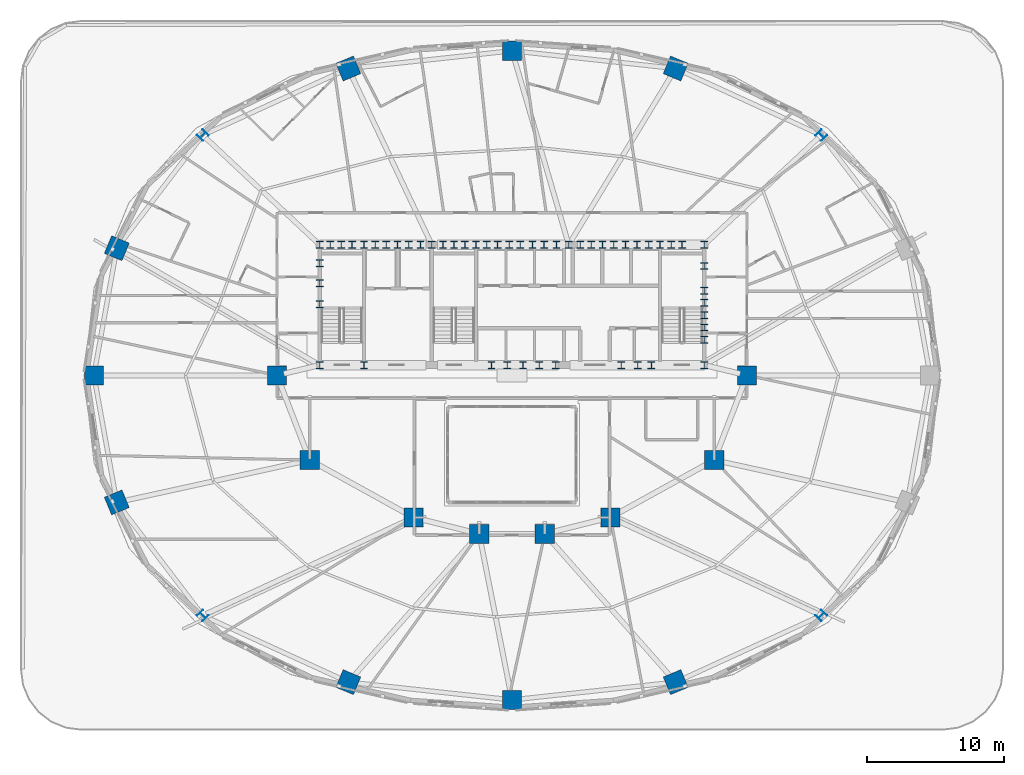
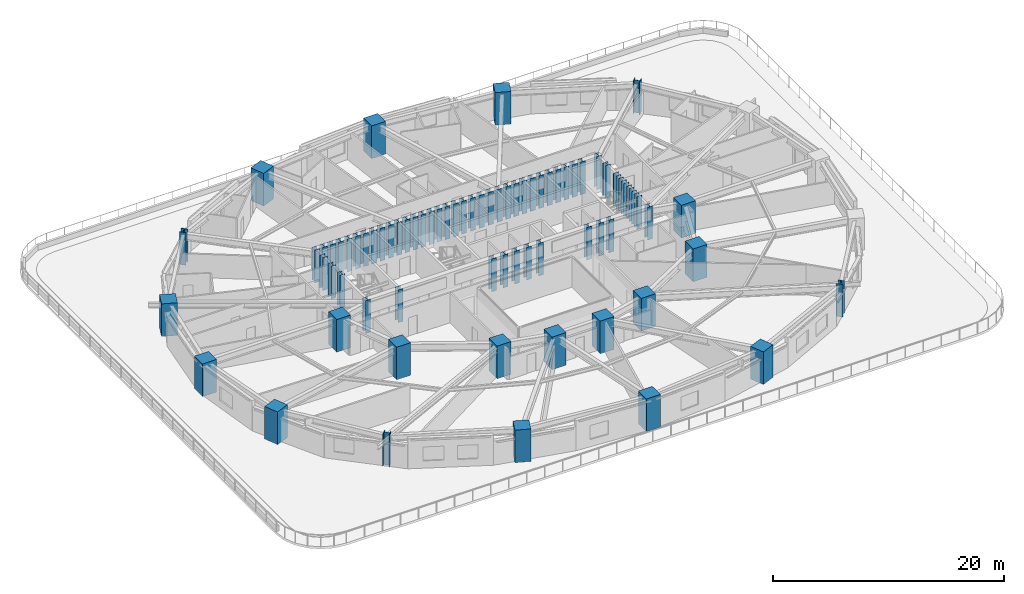
# One storey, part 1 of 18: 75 columns.
"""IFC4 building model written with IfcOpenShell, lengths in metres."""

import ifcopenshell
import ifcopenshell.guid

model = None  # the IFC model being written
_history = None  # IfcOwnerHistory: only IFC2X3 demands one
_inside = {}  # id of a spatial element -> (the spatial element, [elements in it])
_under = {}  # id of a project, library or spatial element -> (it, [spatial elements below it])
_declared = {}  # id of a project -> (the project, [libraries it declares])
_typed = {}  # id of a type object -> (the type object, [elements of that type])
_made_of = {}  # id of a material, layer set ... -> (it, [elements and type objects made of it])


def new_model(schema):
    """Start an empty IFC model of exactly this schema.

    Asked for "IFC4X3", IfcOpenShell would pick the latest addendum, in which some entities
    have other attributes; the version numbers below select the first issue.
    IFC2X3 requires an IfcOwnerHistory on every rooted entity: one is made here for all.
    """
    global model, _history
    if schema == "IFC4X3":
        model = ifcopenshell.file(schema_version=(4, 3, 0, 0))
    else:
        model = ifcopenshell.file(schema=schema)
    _inside.clear()
    _under.clear()
    _declared.clear()
    _typed.clear()
    _made_of.clear()
    _history = None
    if model.schema == "IFC2X3":
        org = make("IfcOrganization", Name="unknown")
        user = make(
            "IfcPersonAndOrganization",
            ThePerson=make("IfcPerson", FamilyName="unknown"),
            TheOrganization=org,
        )
        app = make(
            "IfcApplication",
            ApplicationDeveloper=org,
            Version="unknown",
            ApplicationFullName="unknown",
            ApplicationIdentifier="unknown",
        )
        _history = make(
            "IfcOwnerHistory",
            OwningUser=user,
            OwningApplication=app,
            ChangeAction="ADDED",
            CreationDate=0,
        )
    return model


def make(cls, **values):
    """One entity of the class cls with the attributes given. An attribute that is None is left unset."""
    return model.create_entity(
        cls, **{name: value for name, value in values.items() if value is not None}
    )


def rooted(cls, **values):
    """An entity with a GlobalId (a new one), such as an element, a storey or a relation."""
    return make(cls, GlobalId=ifcopenshell.guid.new(), OwnerHistory=_history, **values)


def si_unit(unit_type, name, prefix=None):
    """IfcSIUnit, for example si_unit("LENGTHUNIT", "METRE", prefix="MILLI")."""
    return make("IfcSIUnit", UnitType=unit_type, Prefix=prefix, Name=name)


def assignment(units):
    """IfcUnitAssignment: the units of a project."""
    return None if units is None else make("IfcUnitAssignment", Units=units)


def point(xyz):
    """IfcCartesianPoint."""
    return None if xyz is None else make("IfcCartesianPoint", Coordinates=xyz)


def direction(xyz):
    """IfcDirection."""
    return None if xyz is None else make("IfcDirection", DirectionRatios=xyz)


def frame(location, z_axis=None, x_axis=None):
    """IfcAxis2Placement3D, a coordinate frame: its origin and axes. An axis left out is left unset."""
    return make(
        "IfcAxis2Placement3D",
        Location=point(location),
        Axis=direction(z_axis),
        RefDirection=direction(x_axis),
    )


def frame_2d(location, x_axis=None):
    """IfcAxis2Placement2D, a coordinate frame in the plane: its origin and x axis."""
    return make(
        "IfcAxis2Placement2D", Location=point(location), RefDirection=direction(x_axis)
    )


def origin():
    """The frame at (0, 0, 0) with its axes left unset."""
    return frame((0.0, 0.0, 0.0))


def origin_2d():
    """The frame at (0, 0) in the plane with its x axis left unset."""
    return frame_2d((0.0, 0.0))


def place(relative_to, where):
    """IfcLocalPlacement: puts the frame where relative to a parent placement (None: the world)."""
    return make(
        "IfcLocalPlacement", PlacementRelTo=relative_to, RelativePlacement=where
    )


def context(
    kind, dimensions, precision=None, world=None, true_north=None, identifier=None
):
    """IfcGeometricRepresentationContext, for example the 3D "Model" context."""
    return make(
        "IfcGeometricRepresentationContext",
        ContextIdentifier=identifier,
        ContextType=kind,
        CoordinateSpaceDimension=dimensions,
        Precision=precision,
        WorldCoordinateSystem=world,
        TrueNorth=true_north,
    )


def subcontext(parent, identifier, kind, view, scale=None):
    """IfcGeometricRepresentationSubContext, for example "Body" below "Model"."""
    return make(
        "IfcGeometricRepresentationSubContext",
        ContextIdentifier=identifier,
        ContextType=kind,
        ParentContext=parent,
        TargetScale=scale,
        TargetView=view,
    )


def project(units=None, contexts=None):
    """IfcProject with its units and contexts."""
    return rooted(
        "IfcProject",
        Name="project",
        RepresentationContexts=contexts,
        UnitsInContext=assignment(units),
    )


def spatial(cls, under=None, at=None, **own):
    """A site, building, storey or space (cls), placed at a placement, below another one or the project."""
    s = rooted(cls, ObjectPlacement=at, **own)
    if under is not None:
        _under.setdefault(under.id(), (under, []))[1].append(s)
    return s


def profile(cls, at=None, kind="AREA", **sizes):
    """A parametric profile (cls). Its sizes go by their IFC names, for example OverallWidth=200.0."""
    return make(cls, ProfileType=kind, Position=at, **sizes)


def rectangle(**sizes):
    """IfcRectangleProfileDef."""
    return profile("IfcRectangleProfileDef", **sizes)


def i_section(**sizes):
    """IfcIShapeProfileDef."""
    return profile("IfcIShapeProfileDef", **sizes)


def extrude(swept, where, along, depth):
    """IfcExtrudedAreaSolid: the profile swept, set in the frame where, extruded along a direction by depth."""
    return make(
        "IfcExtrudedAreaSolid",
        SweptArea=swept,
        Position=where,
        ExtrudedDirection=direction(along),
        Depth=depth,
    )


def shape(context_of_items, identifier, shape_type, items):
    """IfcShapeRepresentation: the items that make up one representation, for example the "Body"."""
    return make(
        "IfcShapeRepresentation",
        ContextOfItems=context_of_items,
        RepresentationIdentifier=identifier,
        RepresentationType=shape_type,
        Items=items,
    )


def material(Name=None, Category=None):
    """IfcMaterial."""
    return make("IfcMaterial", Name=Name, Category=Category)


def material_profile(
    of_material, cross_section, Name=None, Category=None, Priority=None
):
    """IfcMaterialProfile: a cross section and its material."""
    return make(
        "IfcMaterialProfile",
        Name=Name,
        Material=of_material,
        Profile=cross_section,
        Priority=Priority,
        Category=Category,
    )


def profile_set(profiles, Name=None, composite=None):
    """IfcMaterialProfileSet."""
    return make(
        "IfcMaterialProfileSet",
        Name=Name,
        MaterialProfiles=profiles,
        CompositeProfile=composite,
    )


def made_of(thing, what):
    """Note that an element or type object is made of a material, layer set ...; save() writes the relation."""
    if what is not None:
        _made_of.setdefault(what.id(), (what, []))[1].append(thing)
    return thing


def type_object(cls, material=None, **own):
    """A type object (cls), such as IfcWallType, which elements share."""
    return made_of(rooted(cls, **own), material)


def element(
    cls,
    number,
    at=None,
    inside=None,
    cuts=None,
    type_object=None,
    material=None,
    context=None,
    identifier="Body",
    shape_type=None,
    held_by="IfcProductDefinitionShape",
    body=None,
    shapes=None,
    **own,
):
    """One element of the class cls, such as IfcWall. Its Tag is "e" and its number.

    at: its placement. inside: the storey or other place that contains it. cuts: it is an
    opening in that element (IfcRelVoidsElement). A single representation is given by context,
    identifier, shape_type and body (its items); several are given by shapes. held_by: the class
    of the entity that holds the representations. save() writes the other relations.
    """
    e = rooted(cls, Tag="e%d" % number, ObjectPlacement=at, **own)
    if body is not None:
        shapes = [shape(context, identifier, shape_type, body)]
    if shapes is not None:
        e.Representation = make(held_by, Representations=shapes)
    if inside is not None:
        _inside.setdefault(inside.id(), (inside, []))[1].append(e)
    if cuts is not None:
        rooted(
            "IfcRelVoidsElement", RelatingBuildingElement=cuts, RelatedOpeningElement=e
        )
    if type_object is not None:
        _typed.setdefault(type_object.id(), (type_object, []))[1].append(e)
    return made_of(e, material)


def aggregate(whole, parts):
    """IfcRelAggregates: a whole, such as a stair, and the parts it consists of."""
    return rooted("IfcRelAggregates", RelatingObject=whole, RelatedObjects=parts)


def save(model, path):
    """Write the relations noted so far, then the file.

    IfcRelAggregates (storeys below a building ...), IfcRelContainedInSpatialStructure (elements
    in a storey), IfcRelDefinesByType, IfcRelAssociatesMaterial and IfcRelDeclares: one each for
    every whole, place, type object, material and project.
    """
    for whole, parts in _under.values():
        aggregate(whole, parts)
    for where, things in _inside.values():
        rooted(
            "IfcRelContainedInSpatialStructure",
            RelatedElements=things,
            RelatingStructure=where,
        )
    for kind, things in _typed.values():
        rooted("IfcRelDefinesByType", RelatedObjects=things, RelatingType=kind)
    for what, things in _made_of.values():
        rooted("IfcRelAssociatesMaterial", RelatedObjects=things, RelatingMaterial=what)
    for by, libraries in _declared.values():
        rooted("IfcRelDeclares", RelatingContext=by, RelatedDefinitions=libraries)
    model.write(path)


model = new_model("IFC4")

# Units and contexts
model_context = context("Model", 3, precision=1e-05, world=origin(), true_north=direction((0.0, 1.0)))
body_context = subcontext(model_context, "Body", "Model", "MODEL_VIEW")
ifc_project = project(units=[si_unit("LENGTHUNIT", "METRE"), si_unit("AREAUNIT", "SQUARE_METRE"), si_unit("VOLUMEUNIT", "CUBIC_METRE"), si_unit("PLANEANGLEUNIT", "RADIAN"), si_unit("MASSUNIT", "GRAM", prefix="KILO")], contexts=[model_context])

# Site, building, storey
site_placement = place(None, origin())
site = spatial("IfcSite", under=ifc_project, at=site_placement, CompositionType="ELEMENT")
building_placement = place(site_placement, origin())
building = spatial("IfcBuilding", under=site, at=building_placement, Name="Haldorwick Loom Tower", CompositionType="ELEMENT")
storey_placement = place(building_placement, frame((0.0, 0.0, 24.0)))
storey = spatial("IfcBuildingStorey", under=building, at=storey_placement, Name="L05", CompositionType="ELEMENT", Elevation=24.0)

# Columns
ifc_material_1 = material(Name="Concrete C60 (60 MPa)", Category="concrete")
ifc_material_profile_1 = material_profile(ifc_material_1, rectangle(XDim=1.39990234375, YDim=1.39990234375, at=origin_2d()), Name="RC1400X1400", Category="concrete")
ifc_profile_set_1 = profile_set([ifc_material_profile_1], Name="Concrete C60 (60 MPa)")
column_type_1 = type_object("IfcColumnType", Name="STR-COL-MEGA1400", PredefinedType="COLUMN", material=ifc_profile_set_1)
for number, where, z_axis, x_axis, name in (
    (1, (53.199951171875, 26.0, 0.0), (0.0, 0.0, 1.0), (1.0, 0.0, 0.0), "L05 Inner Column IC-01"),
    (2, (50.800048828125, 19.800048828125, 0.0), (0.0, 0.0, 1.0), (1.0, 0.0, 0.0), "L05 Inner Column IC-02"),
    (3, (43.199951171875, 15.60009765625, 0.0), (0.0, 0.0, 1.0), (1.0, 0.0, 0.0), "L05 Inner Column IC-03"),
    (4, (38.39990234375, 14.39990234375, 0.0), (0.0, 0.0, 1.0), (1.0, 0.0, 0.0), "L05 Inner Column IC-04"),
    (5, (33.60009765625, 14.39990234375, 0.0), (0.0, 0.0, 1.0), (1.0, 0.0, 0.0), "L05 Inner Column IC-05"),
    (6, (28.800048828125, 15.60009765625, 0.0), (0.0, 0.0, 1.0), (1.0, 0.0, 0.0), "L05 Inner Column IC-06"),
    (7, (21.199951171875, 19.800048828125, 0.0), (0.0, 0.0, 1.0), (1.0, 0.0, 0.0), "L05 Inner Column IC-07"),
    (8, (18.800048828125, 26.0, 0.0), (0.0, 0.0, 1.0), (1.0, 0.0, 0.0), "L05 Inner Column IC-08"),
):
    element("IfcColumn", number, at=place(storey_placement, frame(where, z_axis=z_axis, x_axis=x_axis)), inside=storey, type_object=column_type_1, Name=name, PredefinedType="COLUMN", context=body_context, shape_type="SweptSolid", body=[
        extrude(rectangle(XDim=1.39990234375, YDim=1.39990234375, at=origin_2d()), origin(), (0.0, 0.0, 1.0), 3.449951171875),
    ])
ifc_material_profile_2 = material_profile(ifc_material_1, rectangle(XDim=1.39990234375, YDim=1.39990234375, at=origin_2d()), Name="RC1400X1400", Category="concrete")
ifc_profile_set_2 = profile_set([ifc_material_profile_2], Name="Concrete C60 (60 MPa)")
column_type_2 = type_object("IfcColumnType", Name="STR-COL-RC1400", PredefinedType="PILASTER", material=ifc_profile_set_2)
for number, where, z_axis, x_axis, name in (
    (9, (47.97802734375, 48.4501953125, 0.0), (0.0, 0.0, 1.0), (0.382683432365, 0.923879532511, 0.0), "L05 Perimeter Pier Column P04"),
    (10, (36.0, 49.75, 0.0), (0.0, 0.0, 1.0), (0.0, 1.0, 0.0), "L05 Perimeter Pier Column P05"),
    (11, (24.02197265625, 48.4501953125, 0.0), (0.0, 0.0, 1.0), (-0.382683432365, 0.923879532511, 0.0), "L05 Perimeter Pier Column P06"),
    (12, (7.08251953125, 35.29931640625, 0.0), (0.0, 0.0, 1.0), (-0.923879532511, 0.382683432365, 0.0), "L05 Perimeter Pier Column P08"),
    (13, (5.404052734375, 26.0, 0.0), (0.0, 0.0, 1.0), (-1.0, 0.0, 0.0), "L05 Perimeter Pier Column P09"),
    (14, (7.08251953125, 16.70068359375, 0.0), (0.0, 0.0, 1.0), (-0.923879532511, -0.382683432365, 0.0), "L05 Perimeter Pier Column P10"),
    (15, (24.02197265625, 3.5498046875, 0.0), (0.0, 0.0, 1.0), (-0.382683432365, -0.923879532511, 0.0), "L05 Perimeter Pier Column P12"),
    (16, (36.0, 2.25, 0.0), (0.0, 0.0, 1.0), (0.0, -1.0, 0.0), "L05 Perimeter Pier Column P13"),
    (17, (47.97802734375, 3.5498046875, 0.0), (0.0, 0.0, 1.0), (0.382683432365, -0.923879532511, 0.0), "L05 Perimeter Pier Column P14"),
):
    element("IfcColumn", number, at=place(storey_placement, frame(where, z_axis=z_axis, x_axis=x_axis)), inside=storey, type_object=column_type_2, Name=name, PredefinedType="PILASTER", context=body_context, shape_type="SweptSolid", body=[
        extrude(rectangle(XDim=1.39990234375, YDim=1.39990234375, at=origin_2d()), origin(), (0.0, 0.0, 1.0), 3.449951171875),
    ])
ifc_material_2 = material(Name="Steel CSA G40.21 350WT", Category="steel")
ifc_material_profile_3 = material_profile(ifc_material_2, i_section(OverallWidth=0.5, OverallDepth=0.5, WebThickness=0.02197265625, FlangeThickness=0.031982421875, at=origin_2d()), Name="WWF500X500", Category="steel")
ifc_profile_set_3 = profile_set([ifc_material_profile_3], Name="Steel CSA G40.21 350WT")
column_type_3 = type_object("IfcColumnType", Name="STR-COL-WWF500", PredefinedType="COLUMN", material=ifc_profile_set_3)
for number, where, z_axis, x_axis, name in (
    (18, (21.929931640625, 35.550048828125, 0.0), (0.0, 0.0, 1.0), (1.0, 0.0, 0.0), "L05 Core Pilaster CB-01"),
    (19, (23.5, 35.550048828125, 0.0), (0.0, 0.0, 1.0), (1.0, 0.0, 0.0), "L05 Core Pilaster CB-02"),
    (20, (25.169921875, 35.550048828125, 0.0), (0.0, 0.0, 1.0), (1.0, 0.0, 0.0), "L05 Core Pilaster CB-03"),
    (21, (26.800048828125, 35.550048828125, 0.0), (0.0, 0.0, 1.0), (1.0, 0.0, 0.0), "L05 Core Pilaster CB-04"),
    (22, (28.449951171875, 35.550048828125, 0.0), (0.0, 0.0, 1.0), (1.0, 0.0, 0.0), "L05 Core Pilaster CB-05"),
    (23, (30.1298828125, 35.550048828125, 0.0), (0.0, 0.0, 1.0), (1.0, 0.0, 0.0), "L05 Core Pilaster CB-06"),
    (24, (31.75, 35.550048828125, 0.0), (0.0, 0.0, 1.0), (1.0, 0.0, 0.0), "L05 Core Pilaster CB-07"),
    (25, (33.3701171875, 35.550048828125, 0.0), (0.0, 0.0, 1.0), (1.0, 0.0, 0.0), "L05 Core Pilaster CB-08"),
    (26, (34.949951171875, 35.550048828125, 0.0), (0.0, 0.0, 1.0), (1.0, 0.0, 0.0), "L05 Core Pilaster CB-09"),
    (27, (36.60009765625, 35.550048828125, 0.0), (0.0, 0.0, 1.0), (1.0, 0.0, 0.0), "L05 Core Pilaster CB-10"),
    (28, (38.35009765625, 35.550048828125, 0.0), (0.0, 0.0, 1.0), (1.0, 0.0, 0.0), "L05 Core Pilaster CB-11"),
    (29, (40.14990234375, 35.550048828125, 0.0), (0.0, 0.0, 1.0), (1.0, 0.0, 0.0), "L05 Core Pilaster CB-12"),
    (30, (41.800048828125, 35.550048828125, 0.0), (0.0, 0.0, 1.0), (1.0, 0.0, 0.0), "L05 Core Pilaster CB-13"),
    (31, (43.449951171875, 35.550048828125, 0.0), (0.0, 0.0, 1.0), (1.0, 0.0, 0.0), "L05 Core Pilaster CB-14"),
    (32, (45.14990234375, 35.550048828125, 0.0), (0.0, 0.0, 1.0), (1.0, 0.0, 0.0), "L05 Core Pilaster CB-15"),
    (33, (46.830078125, 35.550048828125, 0.0), (0.0, 0.0, 1.0), (1.0, 0.0, 0.0), "L05 Core Pilaster CB-16"),
    (34, (48.449951171875, 35.550048828125, 0.0), (0.0, 0.0, 1.0), (1.0, 0.0, 0.0), "L05 Core Pilaster CB-17"),
    (35, (50.070068359375, 35.550048828125, 0.0), (0.0, 0.0, 1.0), (1.0, 0.0, 0.0), "L05 Core Pilaster CB-18"),
    (36, (21.929931640625, 26.75, 0.0), (0.0, 0.0, 1.0), (1.0, 0.0, 0.0), "L05 Core Pilaster CB-19"),
    (37, (25.169921875, 26.75, 0.0), (0.0, 0.0, 1.0), (1.0, 0.0, 0.0), "L05 Core Pilaster CB-20"),
    (38, (34.5, 26.75, 0.0), (0.0, 0.0, 1.0), (1.0, 0.0, 0.0), "L05 Core Pilaster CB-21"),
    (39, (36.800048828125, 26.75, 0.0), (0.0, 0.0, 1.0), (1.0, 0.0, 0.0), "L05 Core Pilaster CB-22"),
    (40, (39.199951171875, 26.75, 0.0), (0.0, 0.0, 1.0), (1.0, 0.0, 0.0), "L05 Core Pilaster CB-23"),
    (41, (45.199951171875, 26.75, 0.0), (0.0, 0.0, 1.0), (1.0, 0.0, 0.0), "L05 Core Pilaster CB-24"),
    (42, (50.070068359375, 26.75, 0.0), (0.0, 0.0, 1.0), (1.0, 0.0, 0.0), "L05 Core Pilaster CB-25"),
    (43, (21.929931640625, 31.199951171875, 0.0), (0.0, 0.0, 1.0), (1.0, 0.0, 0.0), "L05 Core Pilaster CB-26"),
    (44, (21.929931640625, 32.75, 0.0), (0.0, 0.0, 1.0), (1.0, 0.0, 0.0), "L05 Core Pilaster CB-27"),
    (45, (21.929931640625, 34.199951171875, 0.0), (0.0, 0.0, 1.0), (1.0, 0.0, 0.0), "L05 Core Pilaster CB-28"),
    (46, (50.070068359375, 28.60009765625, 0.0), (0.0, 0.0, 1.0), (1.0, 0.0, 0.0), "L05 Core Pilaster CB-29"),
    (47, (50.070068359375, 30.39990234375, 0.0), (0.0, 0.0, 1.0), (1.0, 0.0, 0.0), "L05 Core Pilaster CB-30"),
    (48, (50.070068359375, 32.199951171875, 0.0), (0.0, 0.0, 1.0), (1.0, 0.0, 0.0), "L05 Core Pilaster CB-31"),
    (49, (50.070068359375, 34.0, 0.0), (0.0, 0.0, 1.0), (1.0, 0.0, 0.0), "L05 Core Pilaster CB-32"),
    (50, (22.699951171875, 35.550048828125, 0.0), (0.0, 0.0, 1.0), (1.0, 0.0, 0.0), "L05 Core Pilaster CB-33"),
    (51, (27.6201171875, 35.550048828125, 0.0), (0.0, 0.0, 1.0), (1.0, 0.0, 0.0), "L05 Core Pilaster CB-34"),
    (52, (32.550048828125, 35.550048828125, 0.0), (0.0, 0.0, 1.0), (1.0, 0.0, 0.0), "L05 Core Pilaster CB-35"),
    (53, (37.5, 35.550048828125, 0.0), (0.0, 0.0, 1.0), (1.0, 0.0, 0.0), "L05 Core Pilaster CB-36"),
    (54, (42.6201171875, 35.550048828125, 0.0), (0.0, 0.0, 1.0), (1.0, 0.0, 0.0), "L05 Core Pilaster CB-37"),
    (55, (47.64990234375, 35.550048828125, 0.0), (0.0, 0.0, 1.0), (1.0, 0.0, 0.0), "L05 Core Pilaster CB-38"),
    (56, (24.300048828125, 35.550048828125, 0.0), (0.0, 0.0, 1.0), (1.0, 0.0, 0.0), "L05 Core Pilaster CB-39"),
    (57, (26.0, 35.550048828125, 0.0), (0.0, 0.0, 1.0), (1.0, 0.0, 0.0), "L05 Core Pilaster CB-40"),
    (58, (29.300048828125, 35.550048828125, 0.0), (0.0, 0.0, 1.0), (1.0, 0.0, 0.0), "L05 Core Pilaster CB-41"),
    (59, (30.949951171875, 35.550048828125, 0.0), (0.0, 0.0, 1.0), (1.0, 0.0, 0.0), "L05 Core Pilaster CB-42"),
    (60, (34.14990234375, 35.550048828125, 0.0), (0.0, 0.0, 1.0), (1.0, 0.0, 0.0), "L05 Core Pilaster CB-43"),
    (61, (35.800048828125, 35.550048828125, 0.0), (0.0, 0.0, 1.0), (1.0, 0.0, 0.0), "L05 Core Pilaster CB-44"),
    (62, (39.25, 35.550048828125, 0.0), (0.0, 0.0, 1.0), (1.0, 0.0, 0.0), "L05 Core Pilaster CB-45"),
    (63, (41.0, 35.550048828125, 0.0), (0.0, 0.0, 1.0), (1.0, 0.0, 0.0), "L05 Core Pilaster CB-46"),
    (64, (44.300048828125, 35.550048828125, 0.0), (0.0, 0.0, 1.0), (1.0, 0.0, 0.0), "L05 Core Pilaster CB-47"),
    (65, (46.0, 35.550048828125, 0.0), (0.0, 0.0, 1.0), (1.0, 0.0, 0.0), "L05 Core Pilaster CB-48"),
    (66, (50.070068359375, 29.5, 0.0), (0.0, 0.0, 1.0), (1.0, 0.0, 0.0), "L05 Core Pilaster CB-49"),
    (67, (50.070068359375, 31.300048828125, 0.0), (0.0, 0.0, 1.0), (1.0, 0.0, 0.0), "L05 Core Pilaster CB-50"),
    (68, (35.64990234375, 26.75, 0.0), (0.0, 0.0, 1.0), (1.0, 0.0, 0.0), "L05 Core Pilaster CB-51"),
    (69, (38.0, 26.75, 0.0), (0.0, 0.0, 1.0), (1.0, 0.0, 0.0), "L05 Core Pilaster CB-52"),
    (70, (44.0, 26.75, 0.0), (0.0, 0.0, 1.0), (1.0, 0.0, 0.0), "L05 Core Pilaster CB-53"),
    (71, (46.199951171875, 26.75, 0.0), (0.0, 0.0, 1.0), (1.0, 0.0, 0.0), "L05 Core Pilaster CB-54"),
):
    element("IfcColumn", number, at=place(storey_placement, frame(where, z_axis=z_axis, x_axis=x_axis)), inside=storey, type_object=column_type_3, Name=name, PredefinedType="COLUMN", context=body_context, shape_type="SweptSolid", body=[
        extrude(i_section(OverallWidth=0.5, OverallDepth=0.5, WebThickness=0.02197265625, FlangeThickness=0.031982421875, at=origin_2d()), origin(), (0.0, 0.0, 1.0), 3.449951171875),
    ])
ifc_material_profile_4 = material_profile(ifc_material_2, i_section(OverallWidth=0.60009765625, OverallDepth=0.60009765625, WebThickness=0.02490234375, FlangeThickness=0.035888671875, at=origin_2d()), Name="WWF600X600", Category="steel")
ifc_profile_set_4 = profile_set([ifc_material_profile_4], Name="Steel CSA G40.21 350WT")
column_type_4 = type_object("IfcColumnType", Name="STR-COL-WWF600", PredefinedType="COLUMN", material=ifc_profile_set_4)
for number, where, z_axis, x_axis, name in (
    (72, (58.630126953125, 43.571533203125, 0.0), (0.0, 0.0, 1.0), (0.707106781187, 0.707106781187, 0.0), "L05 Perimeter Pier Column P03"),
    (73, (13.369873046875, 43.571533203125, 0.0), (0.0, 0.0, 1.0), (-0.707106781187, 0.707106781187, 0.0), "L05 Perimeter Pier Column P07"),
    (74, (13.369873046875, 8.428466796875, 0.0), (0.0, 0.0, 1.0), (-0.707106781187, -0.707106781187, 0.0), "L05 Perimeter Pier Column P11"),
    (75, (58.630126953125, 8.428466796875, 0.0), (0.0, 0.0, 1.0), (0.707106781187, -0.707106781187, 0.0), "L05 Perimeter Pier Column P15"),
):
    element("IfcColumn", number, at=place(storey_placement, frame(where, z_axis=z_axis, x_axis=x_axis)), inside=storey, type_object=column_type_4, Name=name, PredefinedType="COLUMN", context=body_context, shape_type="SweptSolid", body=[
        extrude(i_section(OverallWidth=0.60009765625, OverallDepth=0.60009765625, WebThickness=0.02490234375, FlangeThickness=0.035888671875, at=origin_2d()), origin(), (0.0, 0.0, 1.0), 3.449951171875),
    ])

save(model, "model.ifc")
